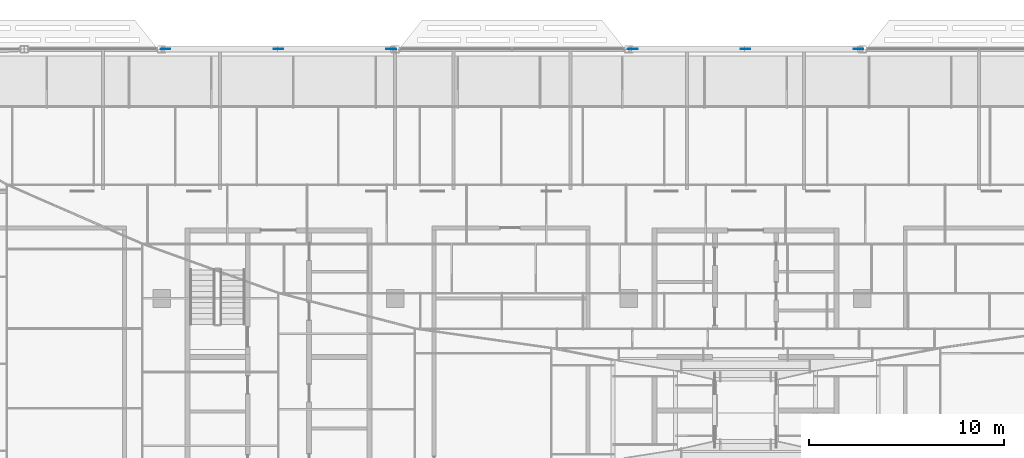
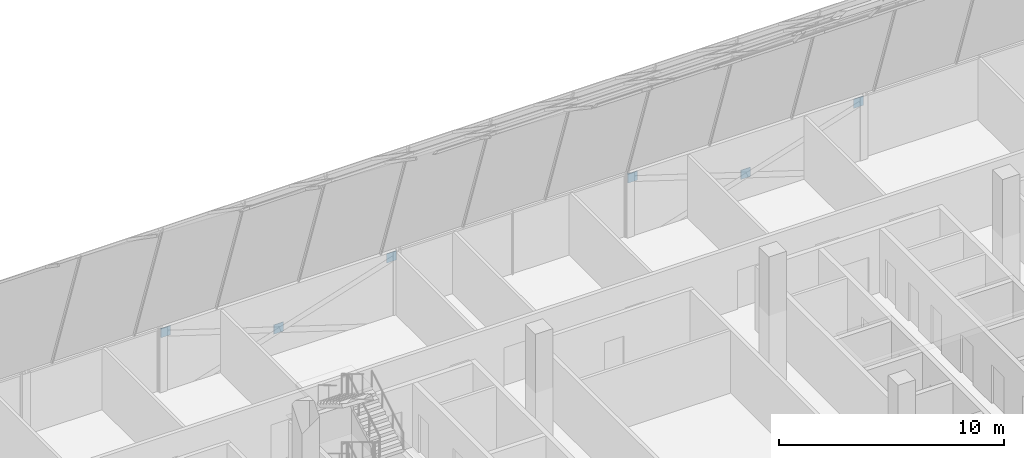
# One storey, part 32 of 39: 6 discrete accessories.
"""IFC4 building model written with IfcOpenShell, lengths in metres."""

import ifcopenshell
import ifcopenshell.guid

model = None  # the IFC model being written
_history = None  # IfcOwnerHistory: only IFC2X3 demands one
_inside = {}  # id of a spatial element -> (the spatial element, [elements in it])
_under = {}  # id of a project, library or spatial element -> (it, [spatial elements below it])
_declared = {}  # id of a project -> (the project, [libraries it declares])
_typed = {}  # id of a type object -> (the type object, [elements of that type])
_made_of = {}  # id of a material, layer set ... -> (it, [elements and type objects made of it])


def new_model(schema):
    """Start an empty IFC model of exactly this schema.

    Asked for "IFC4X3", IfcOpenShell would pick the latest addendum, in which some entities
    have other attributes; the version numbers below select the first issue.
    IFC2X3 requires an IfcOwnerHistory on every rooted entity: one is made here for all.
    """
    global model, _history
    if schema == "IFC4X3":
        model = ifcopenshell.file(schema_version=(4, 3, 0, 0))
    else:
        model = ifcopenshell.file(schema=schema)
    _inside.clear()
    _under.clear()
    _declared.clear()
    _typed.clear()
    _made_of.clear()
    _history = None
    if model.schema == "IFC2X3":
        org = make("IfcOrganization", Name="unknown")
        user = make(
            "IfcPersonAndOrganization",
            ThePerson=make("IfcPerson", FamilyName="unknown"),
            TheOrganization=org,
        )
        app = make(
            "IfcApplication",
            ApplicationDeveloper=org,
            Version="unknown",
            ApplicationFullName="unknown",
            ApplicationIdentifier="unknown",
        )
        _history = make(
            "IfcOwnerHistory",
            OwningUser=user,
            OwningApplication=app,
            ChangeAction="ADDED",
            CreationDate=0,
        )
    return model


def make(cls, **values):
    """One entity of the class cls with the attributes given. An attribute that is None is left unset."""
    return model.create_entity(
        cls, **{name: value for name, value in values.items() if value is not None}
    )


def rooted(cls, **values):
    """An entity with a GlobalId (a new one), such as an element, a storey or a relation."""
    return make(cls, GlobalId=ifcopenshell.guid.new(), OwnerHistory=_history, **values)


def si_unit(unit_type, name, prefix=None):
    """IfcSIUnit, for example si_unit("LENGTHUNIT", "METRE", prefix="MILLI")."""
    return make("IfcSIUnit", UnitType=unit_type, Prefix=prefix, Name=name)


def assignment(units):
    """IfcUnitAssignment: the units of a project."""
    return None if units is None else make("IfcUnitAssignment", Units=units)


def point(xyz):
    """IfcCartesianPoint."""
    return None if xyz is None else make("IfcCartesianPoint", Coordinates=xyz)


def direction(xyz):
    """IfcDirection."""
    return None if xyz is None else make("IfcDirection", DirectionRatios=xyz)


def frame(location, z_axis=None, x_axis=None):
    """IfcAxis2Placement3D, a coordinate frame: its origin and axes. An axis left out is left unset."""
    return make(
        "IfcAxis2Placement3D",
        Location=point(location),
        Axis=direction(z_axis),
        RefDirection=direction(x_axis),
    )


def frame_2d(location, x_axis=None):
    """IfcAxis2Placement2D, a coordinate frame in the plane: its origin and x axis."""
    return make(
        "IfcAxis2Placement2D", Location=point(location), RefDirection=direction(x_axis)
    )


def origin():
    """The frame at (0, 0, 0) with its axes left unset."""
    return frame((0.0, 0.0, 0.0))


def origin_2d():
    """The frame at (0, 0) in the plane with its x axis left unset."""
    return frame_2d((0.0, 0.0))


def place(relative_to, where):
    """IfcLocalPlacement: puts the frame where relative to a parent placement (None: the world)."""
    return make(
        "IfcLocalPlacement", PlacementRelTo=relative_to, RelativePlacement=where
    )


def context(
    kind, dimensions, precision=None, world=None, true_north=None, identifier=None
):
    """IfcGeometricRepresentationContext, for example the 3D "Model" context."""
    return make(
        "IfcGeometricRepresentationContext",
        ContextIdentifier=identifier,
        ContextType=kind,
        CoordinateSpaceDimension=dimensions,
        Precision=precision,
        WorldCoordinateSystem=world,
        TrueNorth=true_north,
    )


def subcontext(parent, identifier, kind, view, scale=None):
    """IfcGeometricRepresentationSubContext, for example "Body" below "Model"."""
    return make(
        "IfcGeometricRepresentationSubContext",
        ContextIdentifier=identifier,
        ContextType=kind,
        ParentContext=parent,
        TargetScale=scale,
        TargetView=view,
    )


def project(units=None, contexts=None):
    """IfcProject with its units and contexts."""
    return rooted(
        "IfcProject",
        Name="project",
        RepresentationContexts=contexts,
        UnitsInContext=assignment(units),
    )


def spatial(cls, under=None, at=None, **own):
    """A site, building, storey or space (cls), placed at a placement, below another one or the project."""
    s = rooted(cls, ObjectPlacement=at, **own)
    if under is not None:
        _under.setdefault(under.id(), (under, []))[1].append(s)
    return s


def profile(cls, at=None, kind="AREA", **sizes):
    """A parametric profile (cls). Its sizes go by their IFC names, for example OverallWidth=200.0."""
    return make(cls, ProfileType=kind, Position=at, **sizes)


def rectangle(**sizes):
    """IfcRectangleProfileDef."""
    return profile("IfcRectangleProfileDef", **sizes)


def extrude(swept, where, along, depth):
    """IfcExtrudedAreaSolid: the profile swept, set in the frame where, extruded along a direction by depth."""
    return make(
        "IfcExtrudedAreaSolid",
        SweptArea=swept,
        Position=where,
        ExtrudedDirection=direction(along),
        Depth=depth,
    )


def shape(context_of_items, identifier, shape_type, items):
    """IfcShapeRepresentation: the items that make up one representation, for example the "Body"."""
    return make(
        "IfcShapeRepresentation",
        ContextOfItems=context_of_items,
        RepresentationIdentifier=identifier,
        RepresentationType=shape_type,
        Items=items,
    )


def material(Name=None, Category=None):
    """IfcMaterial."""
    return make("IfcMaterial", Name=Name, Category=Category)


def layer(
    of_material, thickness, ventilated=None, Name=None, Category=None, Priority=None
):
    """IfcMaterialLayer: one layer of a wall or slab, of a material (None: an air gap)."""
    return make(
        "IfcMaterialLayer",
        Material=of_material,
        LayerThickness=thickness,
        IsVentilated=ventilated,
        Name=Name,
        Category=Category,
        Priority=Priority,
    )


def layer_set(layers, Name=None):
    """IfcMaterialLayerSet."""
    return make("IfcMaterialLayerSet", MaterialLayers=layers, LayerSetName=Name)


def made_of(thing, what):
    """Note that an element or type object is made of a material, layer set ...; save() writes the relation."""
    if what is not None:
        _made_of.setdefault(what.id(), (what, []))[1].append(thing)
    return thing


def type_object(cls, material=None, **own):
    """A type object (cls), such as IfcWallType, which elements share."""
    return made_of(rooted(cls, **own), material)


def element(
    cls,
    number,
    at=None,
    inside=None,
    cuts=None,
    type_object=None,
    material=None,
    context=None,
    identifier="Body",
    shape_type=None,
    held_by="IfcProductDefinitionShape",
    body=None,
    shapes=None,
    **own,
):
    """One element of the class cls, such as IfcWall. Its Tag is "e" and its number.

    at: its placement. inside: the storey or other place that contains it. cuts: it is an
    opening in that element (IfcRelVoidsElement). A single representation is given by context,
    identifier, shape_type and body (its items); several are given by shapes. held_by: the class
    of the entity that holds the representations. save() writes the other relations.
    """
    e = rooted(cls, Tag="e%d" % number, ObjectPlacement=at, **own)
    if body is not None:
        shapes = [shape(context, identifier, shape_type, body)]
    if shapes is not None:
        e.Representation = make(held_by, Representations=shapes)
    if inside is not None:
        _inside.setdefault(inside.id(), (inside, []))[1].append(e)
    if cuts is not None:
        rooted(
            "IfcRelVoidsElement", RelatingBuildingElement=cuts, RelatedOpeningElement=e
        )
    if type_object is not None:
        _typed.setdefault(type_object.id(), (type_object, []))[1].append(e)
    return made_of(e, material)


def aggregate(whole, parts):
    """IfcRelAggregates: a whole, such as a stair, and the parts it consists of."""
    return rooted("IfcRelAggregates", RelatingObject=whole, RelatedObjects=parts)


def save(model, path):
    """Write the relations noted so far, then the file.

    IfcRelAggregates (storeys below a building ...), IfcRelContainedInSpatialStructure (elements
    in a storey), IfcRelDefinesByType, IfcRelAssociatesMaterial and IfcRelDeclares: one each for
    every whole, place, type object, material and project.
    """
    for whole, parts in _under.values():
        aggregate(whole, parts)
    for where, things in _inside.values():
        rooted(
            "IfcRelContainedInSpatialStructure",
            RelatedElements=things,
            RelatingStructure=where,
        )
    for kind, things in _typed.values():
        rooted("IfcRelDefinesByType", RelatedObjects=things, RelatingType=kind)
    for what, things in _made_of.values():
        rooted("IfcRelAssociatesMaterial", RelatedObjects=things, RelatingMaterial=what)
    for by, libraries in _declared.values():
        rooted("IfcRelDeclares", RelatingContext=by, RelatedDefinitions=libraries)
    model.write(path)


model = new_model("IFC4")

# Units and contexts
model_context = context("Model", 3, precision=1e-05, world=origin(), true_north=direction((0.0, 1.0)))
body_context = subcontext(model_context, "Body", "Model", "MODEL_VIEW")
ifc_project = project(units=[si_unit("LENGTHUNIT", "METRE"), si_unit("AREAUNIT", "SQUARE_METRE"), si_unit("VOLUMEUNIT", "CUBIC_METRE"), si_unit("PLANEANGLEUNIT", "RADIAN"), si_unit("MASSUNIT", "GRAM", prefix="KILO")], contexts=[model_context])

# Site, building, storey
site_placement = place(None, origin())
site = spatial("IfcSite", under=ifc_project, at=site_placement, CompositionType="ELEMENT")
building_placement = place(site_placement, origin())
building = spatial("IfcBuilding", under=site, at=building_placement, Name="Mahtab Terrace Research Tower", CompositionType="ELEMENT")
storey_placement = place(building_placement, frame((0.0, 0.0, 282.300048828125)))
storey = spatial("IfcBuildingStorey", under=building, at=storey_placement, Name="L69", CompositionType="ELEMENT", Elevation=282.300048828125)

# Discrete accessories
ifc_material = material(Name="Steel ASTM A992 Gr 50", Category="steel")
ifc_layer = layer(ifc_material, 0.030029296875)
ifc_layer_set = layer_set([ifc_layer], Name="Gusset plate 500x500x30")
discrete_accessory_type = type_object("IfcDiscreteAccessoryType", Name="Gusset plate 500x500x30", PredefinedType="USERDEFINED", material=ifc_layer_set)
for number, where, z_axis, x_axis, name in (
    (1, (-29.802978515625, 24.306884765625, 2.843994140625), (0.0, 0.0, 1.0), (1.0, 0.0, 0.0), "Gusset plate"),
    (2, (-24.0, 24.306884765625, 1.00634765625), (0.0, 0.0, 1.0), (1.0, 0.0, 0.0), "Gusset plate"),
    (3, (-18.197021484375, 24.306884765625, 2.843994140625), (0.0, 0.0, 1.0), (1.0, 0.0, 0.0), "Gusset plate"),
    (4, (-5.802978515625, 24.306884765625, 2.843994140625), (0.0, 0.0, 1.0), (1.0, 0.0, 0.0), "Gusset plate"),
    (5, (0.0, 24.306884765625, 1.00634765625), (0.0, 0.0, 1.0), (1.0, 0.0, 0.0), "Gusset plate"),
    (6, (5.802978515625, 24.306884765625, 2.843994140625), (0.0, 0.0, 1.0), (1.0, 0.0, 0.0), "Gusset plate"),
):
    element("IfcDiscreteAccessory", number, at=place(storey_placement, frame(where, z_axis=z_axis, x_axis=x_axis)), inside=storey, type_object=discrete_accessory_type, Name=name, ObjectType="GUSSET PLATE", PredefinedType="USERDEFINED", context=body_context, shape_type="SweptSolid", body=[
        extrude(rectangle(XDim=0.5, YDim=0.030029296875, at=origin_2d()), origin(), (0.0, 0.0, 1.0), 0.5),
    ])

save(model, "model.ifc")
